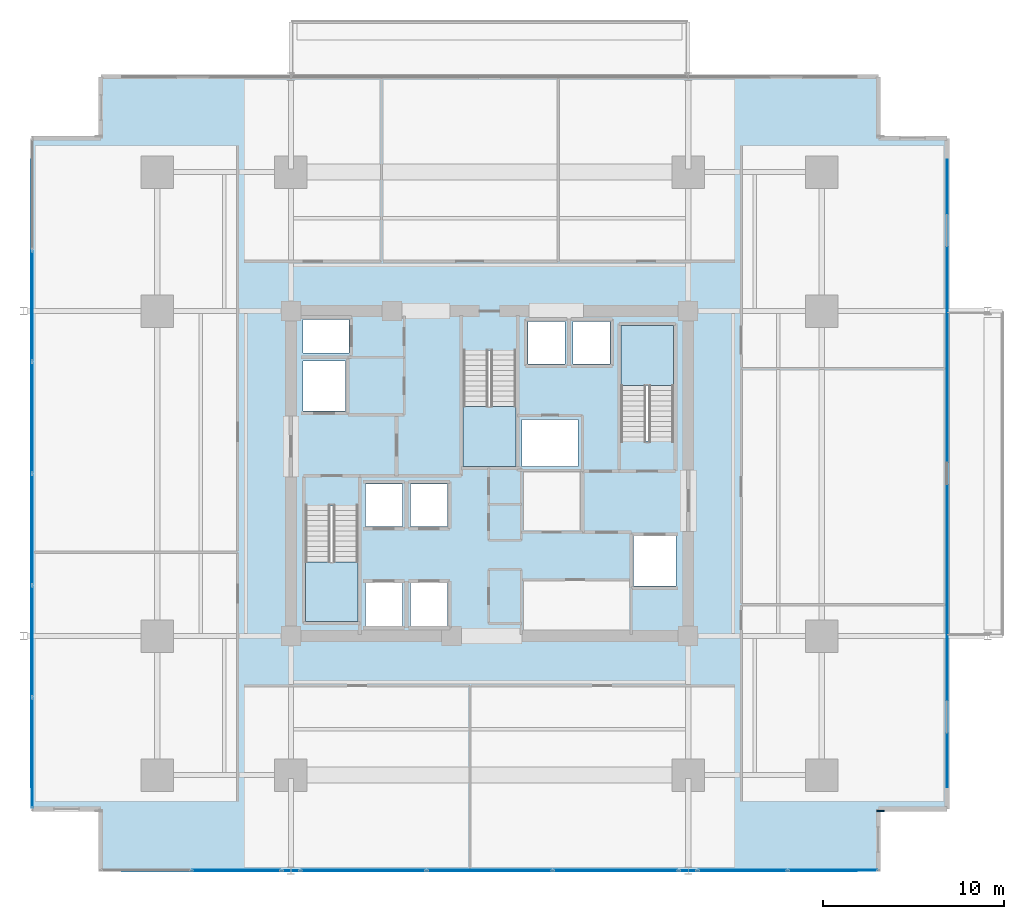
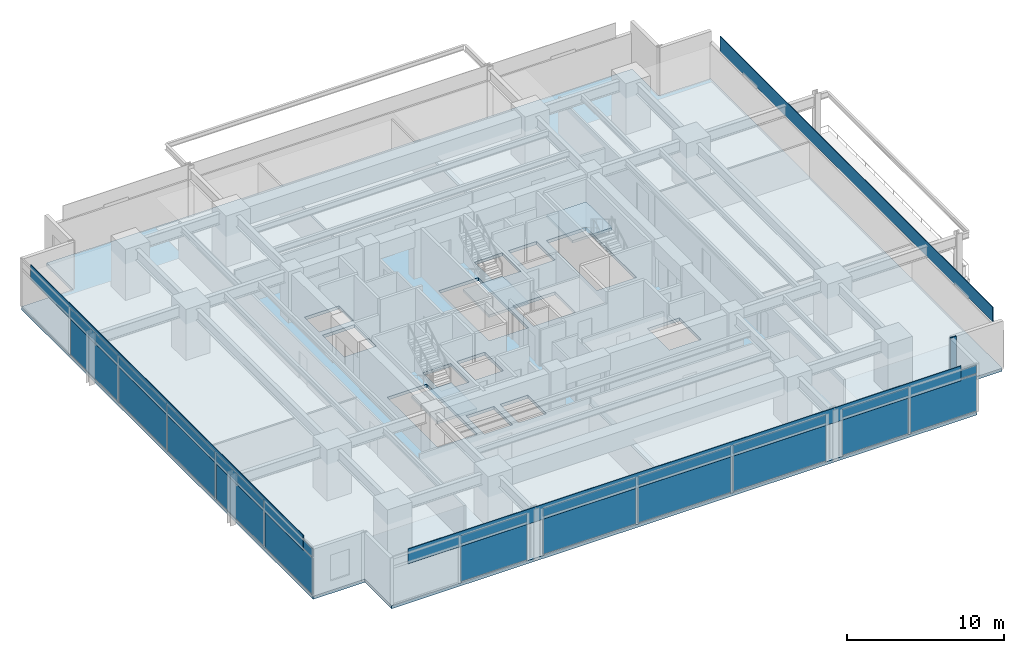
# One storey, part 13 of 22: 26 plates, 4 slabs, 7 elements without a shape of their own.
"""IFC4 building model written with IfcOpenShell, lengths in metres."""

from ifc_helpers import new_model, si_unit, direction, frame, origin, origin_2d, place, context, subcontext, project, spatial, polyline, rectangle, outline, extrude, material, layer, layer_set, type_object, element, aggregate, save


model = new_model("IFC4")

# Units and contexts
model_context = context("Model", 3, precision=1e-05, world=origin(), true_north=direction((0.0, 1.0)))
body_context = subcontext(model_context, "Body", "Model", "MODEL_VIEW")
ifc_project = project(units=[si_unit("LENGTHUNIT", "METRE"), si_unit("AREAUNIT", "SQUARE_METRE"), si_unit("VOLUMEUNIT", "CUBIC_METRE"), si_unit("PLANEANGLEUNIT", "RADIAN"), si_unit("MASSUNIT", "GRAM", prefix="KILO")], contexts=[model_context])

# Site, building, storey
site_placement = place(None, origin())
site = spatial("IfcSite", under=ifc_project, at=site_placement, CompositionType="ELEMENT")
building_placement = place(site_placement, origin())
building = spatial("IfcBuilding", under=site, at=building_placement, Name="Kovane Verandah Tower", CompositionType="ELEMENT")
storey_placement = place(building_placement, frame((0.0, 0.0, 43.60009765625)))
storey = spatial("IfcBuildingStorey", under=building, at=storey_placement, Name="L09", CompositionType="ELEMENT", Elevation=43.60009765625)

# Curtain wall, plate
ifc_material_1 = material(Name="Champagne Anodised Aluminium Frame with Low-E Clear Laminated Glass", Category="aluminium")
curtain_wall_type = type_object("IfcCurtainWallType", Name="CW-SYS-02-LOW", PredefinedType="NOTDEFINED", material=ifc_material_1)
curtain_wall_1_placement = place(storey_placement, origin())
curtain_wall_1 = element("IfcCurtainWall", 1, at=curtain_wall_1_placement, inside=storey, type_object=curtain_wall_type, Name="L09 S Unitised Curtain Wall-1", PredefinedType="NOTDEFINED")
ifc_material_2 = material(Name="Pale Champagne Anodised Aluminium Insulated Spandrel", Category="aluminium")
ifc_layer_1 = layer(ifc_material_2, 0.0400390625)
ifc_layer_set_1 = layer_set([ifc_layer_1], Name="Pale Champagne Anodised Aluminium Insulated Spandrel")
plate_type_1 = type_object("IfcPlateType", Name="PL-CW-SPD-40", PredefinedType="SHEET", material=ifc_layer_set_1)
plate_1_placement = place(storey_placement, frame((25.976806640625, 5.52685546875, 3.02978515625), z_axis=(0.0, 0.0, 1.0), x_axis=(1.0, 0.0, 0.0)))
plate_1 = element("IfcPlate", 2, at=plate_1_placement, type_object=plate_type_1, Name="L09 S Unitised Curtain Wall-1 Spandrel Panel 2", PredefinedType="SHEET", context=body_context, shape_type="SweptSolid", body=[
    extrude(rectangle(XDim=4.866455078125, YDim=0.0400390625, at=origin_2d()), origin(), (0.0, 0.0, 1.0), 0.639892578125),
])

# Curtain wall, plates
curtain_wall_2_placement = place(storey_placement, origin())
curtain_wall_2 = element("IfcCurtainWall", 3, at=curtain_wall_2_placement, inside=storey, type_object=curtain_wall_type, Name="L09 S Unitised Curtain Wall-2", PredefinedType="NOTDEFINED")
plate_2_placement = place(storey_placement, frame((33.01318359375, 5.52685546875, 3.02978515625), z_axis=(0.0, 0.0, 1.0), x_axis=(1.0, 0.0, 0.0)))
plate_2 = element("IfcPlate", 4, at=plate_2_placement, type_object=plate_type_1, Name="L09 S Unitised Curtain Wall-2 Spandrel Panel 1", PredefinedType="SHEET", context=body_context, shape_type="SweptSolid", body=[
    extrude(rectangle(XDim=6.8466796875, YDim=0.0400390625, at=origin_2d()), origin(), (0.0, 0.0, 1.0), 0.639892578125),
])
plate_3_placement = place(storey_placement, frame((40.0, 5.52685546875, 3.02978515625), z_axis=(0.0, 0.0, 1.0), x_axis=(1.0, 0.0, 0.0)))
plate_3 = element("IfcPlate", 5, at=plate_3_placement, type_object=plate_type_1, Name="L09 S Unitised Curtain Wall-2 Spandrel Panel 2", PredefinedType="SHEET", context=body_context, shape_type="SweptSolid", body=[
    extrude(rectangle(XDim=6.8466796875, YDim=0.0400390625, at=origin_2d()), origin(), (0.0, 0.0, 1.0), 0.639892578125),
])
plate_4_placement = place(storey_placement, frame((46.98681640625, 5.52685546875, 3.02978515625), z_axis=(0.0, 0.0, 1.0), x_axis=(1.0, 0.0, 0.0)))
plate_4 = element("IfcPlate", 6, at=plate_4_placement, type_object=plate_type_1, Name="L09 S Unitised Curtain Wall-2 Spandrel Panel 3", PredefinedType="SHEET", context=body_context, shape_type="SweptSolid", body=[
    extrude(rectangle(XDim=6.8466796875, YDim=0.0400390625, at=origin_2d()), origin(), (0.0, 0.0, 1.0), 0.639892578125),
])

curtain_wall_3_placement = place(storey_placement, origin())
curtain_wall_3 = element("IfcCurtainWall", 7, at=curtain_wall_3_placement, inside=storey, type_object=curtain_wall_type, Name="L09 S Unitised Curtain Wall-3", PredefinedType="NOTDEFINED")
plate_5_placement = place(storey_placement, frame((54.023193359375, 5.52685546875, 3.02978515625), z_axis=(0.0, 0.0, 1.0), x_axis=(1.0, 0.0, 0.0)))
plate_5 = element("IfcPlate", 8, at=plate_5_placement, type_object=plate_type_1, Name="L09 S Unitised Curtain Wall-3 Spandrel Panel 1", PredefinedType="SHEET", context=body_context, shape_type="SweptSolid", body=[
    extrude(rectangle(XDim=4.866455078125, YDim=0.0400390625, at=origin_2d()), origin(), (0.0, 0.0, 1.0), 0.639892578125),
])
plate_6_placement = place(storey_placement, frame((59.02978515625, 5.52685546875, 3.02978515625), z_axis=(0.0, 0.0, 1.0), x_axis=(1.0, 0.0, 0.0)))
plate_6 = element("IfcPlate", 9, at=plate_6_placement, type_object=plate_type_1, Name="L09 S Unitised Curtain Wall-3 Spandrel Panel 2", PredefinedType="SHEET", context=body_context, shape_type="SweptSolid", body=[
    extrude(rectangle(XDim=4.866455078125, YDim=0.0400390625, at=origin_2d()), origin(), (0.0, 0.0, 1.0), 0.639892578125),
])

curtain_wall_4_placement = place(storey_placement, origin())
curtain_wall_4 = element("IfcCurtainWall", 10, at=curtain_wall_4_placement, inside=storey, type_object=curtain_wall_type, Name="L09 W Unitised Curtain Wall", PredefinedType="NOTDEFINED")
plate_7_placement = place(storey_placement, frame((14.6669921875, 36.78662109375, 3.02978515625), z_axis=(0.0, 0.0, 1.0), x_axis=(0.0, -1.0, 0.0)))
plate_7 = element("IfcPlate", 11, at=plate_7_placement, type_object=plate_type_1, Name="L09 W Unitised Curtain Wall Spandrel Panel 2", PredefinedType="SHEET", context=body_context, shape_type="SweptSolid", body=[
    extrude(rectangle(XDim=6.051025390625, YDim=0.0400390625, at=origin_2d()), origin(), (0.0, 0.0, 1.0), 0.639892578125),
])
plate_8_placement = place(storey_placement, frame((14.6669921875, 30.595458984375, 3.02978515625), z_axis=(0.0, 0.0, 1.0), x_axis=(0.0, -1.0, 0.0)))
plate_8 = element("IfcPlate", 12, at=plate_8_placement, type_object=plate_type_1, Name="L09 W Unitised Curtain Wall Spandrel Panel 3", PredefinedType="SHEET", context=body_context, shape_type="SweptSolid", body=[
    extrude(rectangle(XDim=6.051025390625, YDim=0.0400390625, at=origin_2d()), origin(), (0.0, 0.0, 1.0), 0.639892578125),
])
plate_9_placement = place(storey_placement, frame((14.6669921875, 24.404541015625, 3.02978515625), z_axis=(0.0, 0.0, 1.0), x_axis=(0.0, -1.0, 0.0)))
plate_9 = element("IfcPlate", 13, at=plate_9_placement, type_object=plate_type_1, Name="L09 W Unitised Curtain Wall Spandrel Panel 4", PredefinedType="SHEET", context=body_context, shape_type="SweptSolid", body=[
    extrude(rectangle(XDim=6.051025390625, YDim=0.0400390625, at=origin_2d()), origin(), (0.0, 0.0, 1.0), 0.639892578125),
])
plate_10_placement = place(storey_placement, frame((14.6669921875, 18.21337890625, 3.02978515625), z_axis=(0.0, 0.0, 1.0), x_axis=(0.0, -1.0, 0.0)))
plate_10 = element("IfcPlate", 14, at=plate_10_placement, type_object=plate_type_1, Name="L09 W Unitised Curtain Wall Spandrel Panel 5", PredefinedType="SHEET", context=body_context, shape_type="SweptSolid", body=[
    extrude(rectangle(XDim=6.051025390625, YDim=0.0400390625, at=origin_2d()), origin(), (0.0, 0.0, 1.0), 0.639892578125),
])
plate_11_placement = place(storey_placement, frame((14.6669921875, 12.0224609375, 3.02978515625), z_axis=(0.0, 0.0, 1.0), x_axis=(0.0, -1.0, 0.0)))
plate_11 = element("IfcPlate", 15, at=plate_11_placement, type_object=plate_type_1, Name="L09 W Unitised Curtain Wall Spandrel Panel 6", PredefinedType="SHEET", context=body_context, shape_type="SweptSolid", body=[
    extrude(rectangle(XDim=6.051025390625, YDim=0.0400390625, at=origin_2d()), origin(), (0.0, 0.0, 1.0), 0.639892578125),
])

# Plate
ifc_material_3 = material(Name="Clear Low-E Laminated Double Glazing", Category="glass")
ifc_layer_2 = layer(ifc_material_3, 0.031982421875)
ifc_layer_set_2 = layer_set([ifc_layer_2], Name="Clear Low-E Laminated Double Glazing")
plate_type_2 = type_object("IfcPlateType", Name="PL-CW-VIS-32", PredefinedType="CURTAIN_PANEL", material=ifc_layer_set_2)
plate_12_placement = place(storey_placement, frame((25.976806640625, 5.52685546875, 0.099853515625), z_axis=(0.0, 0.0, 1.0), x_axis=(1.0, 0.0, 0.0)))
plate_12 = element("IfcPlate", 16, at=plate_12_placement, type_object=plate_type_2, Name="L09 S Unitised Curtain Wall-1 Vision Panel 2", PredefinedType="CURTAIN_PANEL", context=body_context, shape_type="SweptSolid", body=[
    extrude(rectangle(XDim=4.866455078125, YDim=0.031982421875, at=origin_2d()), origin(), (0.0, 0.0, 1.0), 2.830078125),
])

aggregate(curtain_wall_1, [plate_12, plate_1])

plate_13_placement = place(storey_placement, frame((33.01318359375, 5.52685546875, 0.099853515625), z_axis=(0.0, 0.0, 1.0), x_axis=(1.0, 0.0, 0.0)))
plate_13 = element("IfcPlate", 17, at=plate_13_placement, type_object=plate_type_2, Name="L09 S Unitised Curtain Wall-2 Vision Panel 1", PredefinedType="CURTAIN_PANEL", context=body_context, shape_type="SweptSolid", body=[
    extrude(rectangle(XDim=6.8466796875, YDim=0.031982421875, at=origin_2d()), origin(), (0.0, 0.0, 1.0), 2.830078125),
])

plate_14_placement = place(storey_placement, frame((40.0, 5.52685546875, 0.099853515625), z_axis=(0.0, 0.0, 1.0), x_axis=(1.0, 0.0, 0.0)))
plate_14 = element("IfcPlate", 18, at=plate_14_placement, type_object=plate_type_2, Name="L09 S Unitised Curtain Wall-2 Vision Panel 2", PredefinedType="CURTAIN_PANEL", context=body_context, shape_type="SweptSolid", body=[
    extrude(rectangle(XDim=6.8466796875, YDim=0.031982421875, at=origin_2d()), origin(), (0.0, 0.0, 1.0), 2.830078125),
])

plate_15_placement = place(storey_placement, frame((46.98681640625, 5.52685546875, 0.099853515625), z_axis=(0.0, 0.0, 1.0), x_axis=(1.0, 0.0, 0.0)))
plate_15 = element("IfcPlate", 19, at=plate_15_placement, type_object=plate_type_2, Name="L09 S Unitised Curtain Wall-2 Vision Panel 3", PredefinedType="CURTAIN_PANEL", context=body_context, shape_type="SweptSolid", body=[
    extrude(rectangle(XDim=6.8466796875, YDim=0.031982421875, at=origin_2d()), origin(), (0.0, 0.0, 1.0), 2.830078125),
])

aggregate(curtain_wall_2, [plate_13, plate_2, plate_14, plate_3, plate_15, plate_4])

plate_16_placement = place(storey_placement, frame((54.023193359375, 5.52685546875, 0.099853515625), z_axis=(0.0, 0.0, 1.0), x_axis=(1.0, 0.0, 0.0)))
plate_16 = element("IfcPlate", 20, at=plate_16_placement, type_object=plate_type_2, Name="L09 S Unitised Curtain Wall-3 Vision Panel 1", PredefinedType="CURTAIN_PANEL", context=body_context, shape_type="SweptSolid", body=[
    extrude(rectangle(XDim=4.866455078125, YDim=0.031982421875, at=origin_2d()), origin(), (0.0, 0.0, 1.0), 2.830078125),
])

plate_17_placement = place(storey_placement, frame((59.02978515625, 5.52685546875, 0.099853515625), z_axis=(0.0, 0.0, 1.0), x_axis=(1.0, 0.0, 0.0)))
plate_17 = element("IfcPlate", 21, at=plate_17_placement, type_object=plate_type_2, Name="L09 S Unitised Curtain Wall-3 Vision Panel 2", PredefinedType="CURTAIN_PANEL", context=body_context, shape_type="SweptSolid", body=[
    extrude(rectangle(XDim=4.866455078125, YDim=0.031982421875, at=origin_2d()), origin(), (0.0, 0.0, 1.0), 2.830078125),
])

aggregate(curtain_wall_3, [plate_16, plate_5, plate_17, plate_6])

plate_18_placement = place(storey_placement, frame((14.6669921875, 36.78662109375, 0.099853515625), z_axis=(0.0, 0.0, 1.0), x_axis=(0.0, -1.0, 0.0)))
plate_18 = element("IfcPlate", 22, at=plate_18_placement, type_object=plate_type_2, Name="L09 W Unitised Curtain Wall Vision Panel 2", PredefinedType="CURTAIN_PANEL", context=body_context, shape_type="SweptSolid", body=[
    extrude(rectangle(XDim=6.051025390625, YDim=0.031982421875, at=origin_2d()), origin(), (0.0, 0.0, 1.0), 2.830078125),
])

plate_19_placement = place(storey_placement, frame((14.6669921875, 30.595458984375, 0.099853515625), z_axis=(0.0, 0.0, 1.0), x_axis=(0.0, -1.0, 0.0)))
plate_19 = element("IfcPlate", 23, at=plate_19_placement, type_object=plate_type_2, Name="L09 W Unitised Curtain Wall Vision Panel 3", PredefinedType="CURTAIN_PANEL", context=body_context, shape_type="SweptSolid", body=[
    extrude(rectangle(XDim=6.051025390625, YDim=0.031982421875, at=origin_2d()), origin(), (0.0, 0.0, 1.0), 2.830078125),
])

plate_20_placement = place(storey_placement, frame((14.6669921875, 24.404541015625, 0.099853515625), z_axis=(0.0, 0.0, 1.0), x_axis=(0.0, -1.0, 0.0)))
plate_20 = element("IfcPlate", 24, at=plate_20_placement, type_object=plate_type_2, Name="L09 W Unitised Curtain Wall Vision Panel 4", PredefinedType="CURTAIN_PANEL", context=body_context, shape_type="SweptSolid", body=[
    extrude(rectangle(XDim=6.051025390625, YDim=0.031982421875, at=origin_2d()), origin(), (0.0, 0.0, 1.0), 2.830078125),
])

plate_21_placement = place(storey_placement, frame((14.6669921875, 18.21337890625, 0.099853515625), z_axis=(0.0, 0.0, 1.0), x_axis=(0.0, -1.0, 0.0)))
plate_21 = element("IfcPlate", 25, at=plate_21_placement, type_object=plate_type_2, Name="L09 W Unitised Curtain Wall Vision Panel 5", PredefinedType="CURTAIN_PANEL", context=body_context, shape_type="SweptSolid", body=[
    extrude(rectangle(XDim=6.051025390625, YDim=0.031982421875, at=origin_2d()), origin(), (0.0, 0.0, 1.0), 2.830078125),
])

plate_22_placement = place(storey_placement, frame((14.6669921875, 12.0224609375, 0.099853515625), z_axis=(0.0, 0.0, 1.0), x_axis=(0.0, -1.0, 0.0)))
plate_22 = element("IfcPlate", 26, at=plate_22_placement, type_object=plate_type_2, Name="L09 W Unitised Curtain Wall Vision Panel 6", PredefinedType="CURTAIN_PANEL", context=body_context, shape_type="SweptSolid", body=[
    extrude(rectangle(XDim=6.051025390625, YDim=0.031982421875, at=origin_2d()), origin(), (0.0, 0.0, 1.0), 2.830078125),
])

aggregate(curtain_wall_4, [plate_18, plate_7, plate_19, plate_8, plate_20, plate_9, plate_21, plate_10, plate_22, plate_11])

# Plates
ifc_material_4 = material(Name="Timber-Toned Subtropical Aluminium Vertical Blade", Category="wood")
ifc_layer_3 = layer(ifc_material_4, 0.090087890625)
ifc_layer_set_3 = layer_set([ifc_layer_3], Name="Timber-Toned Subtropical Aluminium Vertical Blade")
plate_type_3 = type_object("IfcPlateType", Name="PL-FIN-90", PredefinedType="USERDEFINED", material=ifc_layer_set_3)
plate_23_placement = place(storey_placement, frame((61.653076171875, 8.806884765625, -0.02001953125), z_axis=(0.0, 0.0, 1.0), x_axis=(1.0, 0.0, 0.0)))
element("IfcPlate", 27, at=plate_23_placement, inside=storey, type_object=plate_type_3, Name="L09 SE Timber-Toned Vertical Corner Fin", ObjectType="FIN", PredefinedType="USERDEFINED", context=body_context, shape_type="SweptSolid", body=[
    extrude(rectangle(XDim=0.419921875, YDim=0.090087890625, at=origin_2d()), origin(), (0.0, 0.0, 1.0), 3.820068359375),
])
ifc_material_5 = material(Name="Perforated Pale Champagne Anodised Aluminium Solar Screen", Category="aluminium")
ifc_layer_4 = layer(ifc_material_5, 0.050048828125)
ifc_layer_set_4 = layer_set([ifc_layer_4], Name="Perforated Pale Champagne Anodised Aluminium Solar Screen")
plate_type_4 = type_object("IfcPlateType", Name="PL-SCREEN-50", PredefinedType="USERDEFINED", material=ifc_layer_set_4)
plate_24_placement = place(storey_placement, frame((40.0, 5.511962890625, 2.85986328125), z_axis=(0.0, 0.0, 1.0), x_axis=(1.0, 0.0, 0.0)))
element("IfcPlate", 28, at=plate_24_placement, inside=storey, type_object=plate_type_4, Name="L09 S Perforated Champagne-Gold Solar Screen", ObjectType="SCREEN", PredefinedType="USERDEFINED", context=body_context, shape_type="SweptSolid", body=[
    extrude(rectangle(XDim=40.666015625, YDim=0.050048828125, at=origin_2d()), origin(), (0.0, 0.0, 1.0), 1.14990234375),
])
for number, where, z_axis, x_axis, name in (
    (29, (65.347900390625, 27.5, 2.85986328125), (0.0, 0.0, 1.0), (0.0, 1.0, 0.0), "L09 E Perforated Champagne-Gold Solar Screen"),
    (30, (14.652099609375, 27.5, 2.85986328125), (0.0, 0.0, 1.0), (0.0, -1.0, 0.0), "L09 W Perforated Champagne-Gold Solar Screen"),
):
    element("IfcPlate", number, at=place(storey_placement, frame(where, z_axis=z_axis, x_axis=x_axis)), inside=storey, type_object=plate_type_4, Name=name, ObjectType="SCREEN", PredefinedType="USERDEFINED", context=body_context, shape_type="SweptSolid", body=[
        extrude(rectangle(XDim=34.74609375, YDim=0.050048828125, at=origin_2d()), origin(), (0.0, 0.0, 1.0), 1.14990234375),
    ])

# Stair, slab
ifc_material_6 = material(Name="Concrete C45/55", Category="concrete")
stair_type = type_object("IfcStairType", Name="ST-CORE-1380", PredefinedType="HALF_TURN_STAIR", material=ifc_material_6)
stair_1_placement = place(storey_placement, origin())
stair_1 = element("IfcStair", 31, at=stair_1_placement, inside=storey, type_object=stair_type, Name="L09 Exit Stair ST-01", PredefinedType="HALF_TURN_STAIR")
ifc_layer_5 = layer(ifc_material_6, 0.199951171875)
ifc_layer_set_5 = layer_set([ifc_layer_5], Name="Concrete C45/55")
slab_type_1 = type_object("IfcSlabType", Name="SL-LAND-200", PredefinedType="LANDING", material=ifc_layer_set_5)
slab_1_placement = place(storey_placement, frame((0.0, 0.0, 1.7998046875)))
slab_1 = element("IfcSlab", 32, at=slab_1_placement, type_object=slab_type_1, Name="ST-01 landing 1", PredefinedType="LANDING", context=body_context, shape_type="SweptSolid", body=[
    extrude(outline(polyline([(29.800048828125, 22.614990234375), (29.800048828125, 19.300048828125), (32.719970703125, 19.300048828125), (32.719970703125, 22.614990234375), (29.800048828125, 22.614990234375)])), origin(), (0.0, 0.0, 1.0), 0.2001953125),
])
aggregate(stair_1, [slab_1])

stair_2_placement = place(storey_placement, origin())
stair_2 = element("IfcStair", 33, at=stair_2_placement, inside=storey, type_object=stair_type, Name="L09 Exit Stair ST-02", PredefinedType="HALF_TURN_STAIR")
slab_2_placement = place(storey_placement, frame((0.0, 0.0, 1.7998046875)))
slab_2 = element("IfcSlab", 34, at=slab_2_placement, type_object=slab_type_1, Name="ST-02 landing 1", PredefinedType="LANDING", context=body_context, shape_type="SweptSolid", body=[
    extrude(outline(polyline([(50.199951171875, 32.385009765625), (50.199951171875, 35.699951171875), (47.280029296875, 35.699951171875), (47.280029296875, 32.385009765625), (50.199951171875, 32.385009765625)])), origin(), (0.0, 0.0, 1.0), 0.2001953125),
])
aggregate(stair_2, [slab_2])

stair_3_placement = place(storey_placement, origin())
stair_3 = element("IfcStair", 35, at=stair_3_placement, inside=storey, type_object=stair_type, Name="L09 Exit Stair ST-03", PredefinedType="HALF_TURN_STAIR")
slab_3_placement = place(storey_placement, frame((0.0, 0.0, 1.7998046875)))
slab_3 = element("IfcSlab", 36, at=slab_3_placement, type_object=slab_type_1, Name="ST-03 landing 1", PredefinedType="LANDING", context=body_context, shape_type="SweptSolid", body=[
    extrude(outline(polyline([(38.5400390625, 31.215087890625), (38.5400390625, 27.89990234375), (41.4599609375, 27.89990234375), (41.4599609375, 31.215087890625), (38.5400390625, 31.215087890625)])), origin(), (0.0, 0.0, 1.0), 0.2001953125),
])
aggregate(stair_3, [slab_3])

# Slab
ifc_layer_6 = layer(ifc_material_6, 0.239990234375)
ifc_layer_set_6 = layer_set([ifc_layer_6], Name="Concrete C45/55")
slab_type_2 = type_object("IfcSlabType", Name="SL-TYP-240", PredefinedType="FLOOR", material=ifc_layer_set_6)
slab_4_placement = place(storey_placement, frame((0.0, 0.0, -0.239990234375)))
element("IfcSlab", 37, at=slab_4_placement, inside=storey, type_object=slab_type_2, Name="L09 Structural Floor Slab", PredefinedType="FLOOR", context=body_context, shape_type="SweptSolid", body=[
    extrude(outline(polyline([(18.467041015625, 5.52685546875), (61.532958984375, 5.52685546875), (61.532958984375, 8.927001953125), (65.3330078125, 8.927001953125), (65.3330078125, 46.072998046875), (61.532958984375, 46.072998046875), (61.532958984375, 49.47314453125), (18.467041015625, 49.47314453125), (18.467041015625, 46.072998046875), (14.6669921875, 46.072998046875), (14.6669921875, 8.927001953125), (18.467041015625, 8.927001953125), (18.467041015625, 5.52685546875)]), holes=[polyline([(29.800048828125, 19.300048828125), (32.719970703125, 19.300048828125), (32.719970703125, 25.705078125), (29.800048828125, 25.705078125), (29.800048828125, 19.300048828125)]), polyline([(47.280029296875, 29.294921875), (50.199951171875, 29.294921875), (50.199951171875, 35.699951171875), (47.280029296875, 35.699951171875), (47.280029296875, 29.294921875)]), polyline([(38.5400390625, 27.89990234375), (41.4599609375, 27.89990234375), (41.4599609375, 34.304931640625), (38.5400390625, 34.304931640625), (38.5400390625, 27.89990234375)]), polyline([(29.669921875, 30.969970703125), (32.030029296875, 30.969970703125), (32.030029296875, 33.72998046875), (29.669921875, 33.72998046875), (29.669921875, 30.969970703125)]), polyline([(47.969970703125, 21.27001953125), (50.330078125, 21.27001953125), (50.330078125, 24.030029296875), (47.969970703125, 24.030029296875), (47.969970703125, 21.27001953125)]), polyline([(29.669921875, 34.169921875), (32.22998046875, 34.169921875), (32.22998046875, 36.030029296875), (29.669921875, 36.030029296875), (29.669921875, 34.169921875)]), polyline([(33.1201171875, 19.070068359375), (35.179931640625, 19.070068359375), (35.179931640625, 21.429931640625), (33.1201171875, 21.429931640625), (33.1201171875, 19.070068359375)]), polyline([(35.6201171875, 19.070068359375), (37.679931640625, 19.070068359375), (37.679931640625, 21.429931640625), (35.6201171875, 21.429931640625), (35.6201171875, 19.070068359375)]), polyline([(33.1201171875, 24.570068359375), (35.179931640625, 24.570068359375), (35.179931640625, 26.929931640625), (33.1201171875, 26.929931640625), (33.1201171875, 24.570068359375)]), polyline([(35.6201171875, 24.570068359375), (37.679931640625, 24.570068359375), (37.679931640625, 26.929931640625), (35.6201171875, 26.929931640625), (35.6201171875, 24.570068359375)]), polyline([(42.1201171875, 33.570068359375), (44.179931640625, 33.570068359375), (44.179931640625, 35.929931640625), (42.1201171875, 35.929931640625), (42.1201171875, 33.570068359375)]), polyline([(44.6201171875, 33.570068359375), (46.679931640625, 33.570068359375), (46.679931640625, 35.929931640625), (44.6201171875, 35.929931640625), (44.6201171875, 33.570068359375)]), polyline([(41.800048828125, 27.89990234375), (44.89990234375, 27.89990234375), (44.89990234375, 30.5), (41.800048828125, 30.5), (41.800048828125, 27.89990234375)])]), origin(), (0.0, 0.0, 1.0), 0.239990234375),
])

save(model, "model.ifc")
